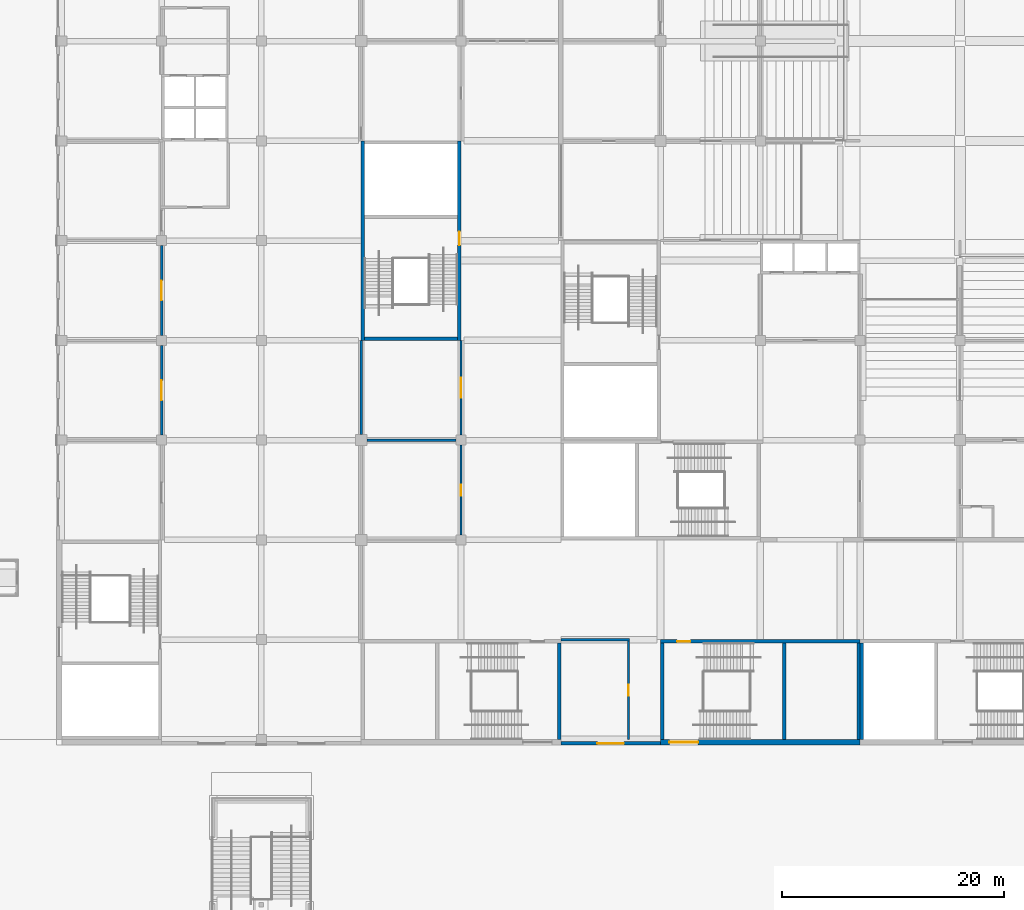
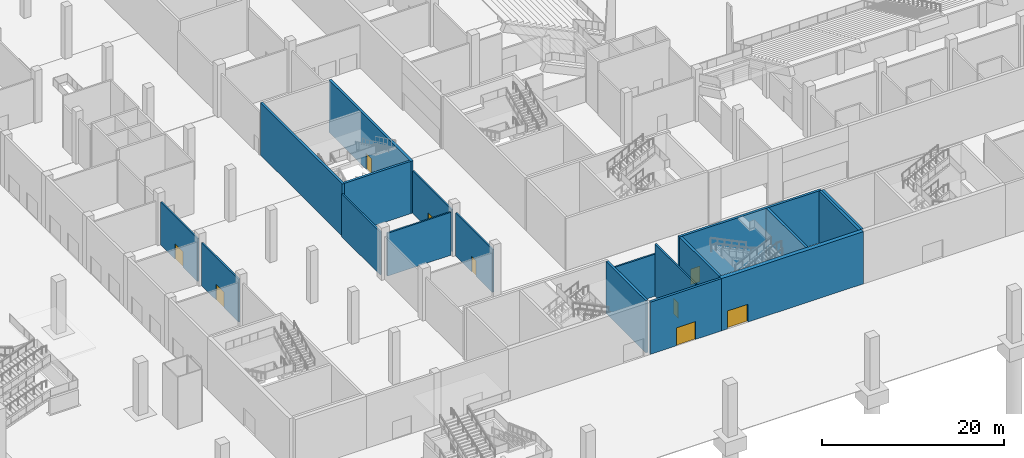
# One storey, part 23 of 92: 19 walls, 9 doors, 9 openings.
"""IFC4 building model written with IfcOpenShell, lengths in metres."""

from ifc_helpers import new_model, si_unit, direction, frame, frame_2d, origin, place, context, subcontext, project, spatial, rectangle, extrude, material, layer, layer_set, type_object, element, fill, save


model = new_model("IFC4")

# Units and contexts
model_context = context("Model", 3, precision=1e-05, world=origin(), true_north=direction((0.0, 1.0)))
body_context = subcontext(model_context, "Body", "Model", "MODEL_VIEW")
ifc_project = project(units=[si_unit("LENGTHUNIT", "METRE"), si_unit("AREAUNIT", "SQUARE_METRE"), si_unit("VOLUMEUNIT", "CUBIC_METRE"), si_unit("PLANEANGLEUNIT", "RADIAN"), si_unit("MASSUNIT", "GRAM", prefix="KILO")], contexts=[model_context])

# Site, building, storey
site_placement = place(None, origin())
site = spatial("IfcSite", under=ifc_project, at=site_placement, CompositionType="ELEMENT")
building_placement = place(site_placement, origin())
building = spatial("IfcBuilding", under=site, at=building_placement, Name="Silverbay Arena", CompositionType="ELEMENT")
storey_placement = place(building_placement, origin())
storey = spatial("IfcBuildingStorey", under=building, at=storey_placement, Name="L00", CompositionType="ELEMENT", Elevation=0.0)

# Wall, opening, door
ifc_material_1 = material(Name="Concrete Grade C45 precast, board-marked finish", Category="concrete")
ifc_layer_1 = layer(ifc_material_1, 0.300048828125)
ifc_layer_set_1 = layer_set([ifc_layer_1], Name="Concrete Grade C45 precast, board-marked finish")
wall_type_1 = type_object("IfcWallType", Name="Board-marked precast wall 300", PredefinedType="SOLIDWALL", material=ifc_layer_set_1)
wall_1_placement = place(storey_placement, frame((72.0, 17.64990234375, 0.0), z_axis=(0.0, 0.0, 1.0), x_axis=(1.0, 0.0, 0.0)))
wall_1 = element("IfcWall", 1, at=wall_1_placement, inside=storey, type_object=wall_type_1, Name="South external wall L00 bay 6", PredefinedType="SOLIDWALL", context=body_context, shape_type="SweptSolid", body=[
    extrude(rectangle(XDim=9.0, YDim=0.300048828125, at=frame_2d((4.5, 0.0))), origin(), (0.0, 0.0, 1.0), 7.0),
])
opening_1_placement = place(wall_1_placement, frame((3.300048828125, 0.0, 0.0)))
opening_1 = element("IfcOpeningElement", 2, at=opening_1_placement, cuts=wall_1, Name="Opening L00-112", PredefinedType="OPENING", context=body_context, shape_type="SweptSolid", body=[
    extrude(rectangle(XDim=2.39990234375, YDim=2.39990234375, at=frame_2d((1.199951171875, 1.199951171875))), frame((0.0, 0.16015625, 0.0), z_axis=(0.0, -1.0, 0.0), x_axis=(1.0, 0.0, 0.0)), (0.0, 0.0, 1.0), 0.320068359375),
])
ifc_material_2 = material(Name="Steel", Category="steel")
door_type_1 = type_object("IfcDoorType", Name="Exit gate door 2400 x 2400", OperationType="DOUBLE_DOOR_SINGLE_SWING", PredefinedType="DOOR", material=ifc_material_2)
door_1_placement = place(opening_1_placement, frame((2.39990234375, 0.0, 0.0), z_axis=(0.0, 0.0, 1.0), x_axis=(-1.0, 0.0, 0.0)))
door_1 = element("IfcDoor", 3, at=door_1_placement, inside=storey, type_object=door_type_1, Name="Pedestrian exit gate G3", OperationType="DOUBLE_DOOR_SINGLE_SWING", OverallHeight=2.39990234375, OverallWidth=2.39990234375, PredefinedType="DOOR", context=body_context, shape_type="SweptSolid", body=[
    extrude(rectangle(XDim=2.39990234375, YDim=2.39990234375, at=frame_2d((1.199951171875, 1.199951171875))), frame((0.0, 0.02490234375, 0.0), z_axis=(0.0, -1.0, 0.0), x_axis=(1.0, 0.0, 0.0)), (0.0, 0.0, 1.0), 0.050048828125),
])
fill(opening_1, door_1)

ifc_material_3 = material(Name="Concrete Grade C45", Category="concrete")
ifc_layer_2 = layer(ifc_material_3, 0.300048828125)
ifc_layer_set_2 = layer_set([ifc_layer_2], Name="Concrete Grade C45")
wall_type_2 = type_object("IfcWallType", Name="Core wall RC 300 EI 120", PredefinedType="SHEAR", material=ifc_layer_set_2)
wall_2_placement = place(storey_placement, frame((81.0, 26.85009765625, 0.0), z_axis=(0.0, 0.0, 1.0), x_axis=(1.0, 0.0, 0.0)))
wall_2 = element("IfcWall", 4, at=wall_2_placement, inside=storey, type_object=wall_type_2, Name="Core wall ST-S1 L00 door side", PredefinedType="SHEAR", context=body_context, shape_type="SweptSolid", body=[
    extrude(rectangle(XDim=18.0, YDim=0.300048828125, at=frame_2d((9.0, 0.0))), origin(), (0.0, 0.0, 1.0), 7.0),
])
opening_2_placement = place(wall_2_placement, frame((1.5, 0.0, 0.0)))
opening_2 = element("IfcOpeningElement", 5, at=opening_2_placement, cuts=wall_2, Name="Opening L00-158", PredefinedType="OPENING", context=body_context, shape_type="SweptSolid", body=[
    extrude(rectangle(XDim=1.199951171875, YDim=2.10009765625, at=frame_2d((0.60009765625, 1.050048828125))), frame((0.0, 0.16015625, 0.0), z_axis=(0.0, -1.0, 0.0), x_axis=(1.0, 0.0, 0.0)), (0.0, 0.0, 1.0), 0.320068359375),
])
ifc_material_4 = material(Name="Steel fire door", Category="steel")
door_type_2 = type_object("IfcDoorType", Name="Stair door 1200 x 2100 fire door", OperationType="SINGLE_SWING_LEFT", PredefinedType="DOOR", material=ifc_material_4)
door_2_placement = place(opening_2_placement, frame((1.199951171875, 0.0, 0.0), z_axis=(0.0, 0.0, 1.0), x_axis=(-1.0, 0.0, 0.0)))
door_2 = element("IfcDoor", 6, at=door_2_placement, inside=storey, type_object=door_type_2, Name="Stair door ST-S1 L00", OperationType="SINGLE_SWING_RIGHT", OverallHeight=2.10009765625, OverallWidth=1.199951171875, PredefinedType="DOOR", context=body_context, shape_type="SweptSolid", body=[
    extrude(rectangle(XDim=1.199951171875, YDim=2.10009765625, at=frame_2d((0.60009765625, 1.050048828125))), frame((0.0, 0.02490234375, 0.0), z_axis=(0.0, -1.0, 0.0), x_axis=(1.0, 0.0, 0.0)), (0.0, 0.0, 1.0), 0.050048828125),
])
fill(opening_2, door_2)

# Walls
for number, where, z_axis, x_axis, name in (
    (7, (81.14990234375, 26.699951171875, 0.0), (0.0, 0.0, 1.0), (0.0, -1.0, 0.0), "Core wall ST-S1 L00 end 1"),
    (8, (98.85009765625, 26.699951171875, 0.0), (0.0, 0.0, 1.0), (0.0, -1.0, 0.0), "Core wall ST-S1 L00 end 2"),
    (9, (92.14990234375, 26.699951171875, 0.0), (0.0, 0.0, 1.0), (0.0, -1.0, 0.0), "Core wall ST-S1 L00 stair enclosure"),
    (10, (99.14990234375, 26.699951171875, 0.0), (0.0, 0.0, 1.0), (0.0, -1.0, 0.0), "Core wall ST-S2 L00 end 2"),
    (11, (71.85009765625, 26.699951171875, 0.0), (0.0, 0.0, 1.0), (0.0, -1.0, 0.0), "Core wall ST-S5 L00 end 1"),
):
    element("IfcWall", number, at=place(storey_placement, frame(where, z_axis=z_axis, x_axis=x_axis)), inside=storey, type_object=wall_type_2, Name=name, PredefinedType="SHEAR", context=body_context, shape_type="SweptSolid", body=[
        extrude(rectangle(XDim=8.699951171875, YDim=0.300048828125, at=frame_2d((4.35009765625, 0.0))), origin(), (0.0, 0.0, 1.0), 7.0),
    ])

# Wall, opening, door
wall_3_placement = place(storey_placement, frame((62.85009765625, 54.0, 0.0), z_axis=(0.0, 0.0, 1.0), x_axis=(0.0, 1.0, 0.0)))
wall_3 = element("IfcWall", 12, at=wall_3_placement, inside=storey, type_object=wall_type_2, Name="Core wall ST-W1 L00 door side", PredefinedType="SHEAR", context=body_context, shape_type="SweptSolid", body=[
    extrude(rectangle(XDim=18.0, YDim=0.300048828125, at=frame_2d((9.0, 0.0))), origin(), (0.0, 0.0, 1.0), 7.0),
])
opening_3_placement = place(wall_3_placement, frame((8.60009765625, 0.0, 0.0)))
opening_3 = element("IfcOpeningElement", 13, at=opening_3_placement, cuts=wall_3, Name="Opening L00-182", PredefinedType="OPENING", context=body_context, shape_type="SweptSolid", body=[
    extrude(rectangle(XDim=1.199951171875, YDim=2.10009765625, at=frame_2d((0.60009765625, 1.050048828125))), frame((0.0, 0.16015625, 0.0), z_axis=(0.0, -1.0, 0.0), x_axis=(1.0, 0.0, 0.0)), (0.0, 0.0, 1.0), 0.320068359375),
])
door_3_placement = place(opening_3_placement, origin())
door_3 = element("IfcDoor", 14, at=door_3_placement, inside=storey, type_object=door_type_2, Name="Stair door ST-W1 L00", OperationType="SINGLE_SWING_RIGHT", OverallHeight=2.10009765625, OverallWidth=1.199951171875, PredefinedType="DOOR", context=body_context, shape_type="SweptSolid", body=[
    extrude(rectangle(XDim=1.199951171875, YDim=2.10009765625, at=frame_2d((0.60009765625, 1.050048828125))), frame((0.0, 0.02490234375, 0.0), z_axis=(0.0, -1.0, 0.0), x_axis=(1.0, 0.0, 0.0)), (0.0, 0.0, 1.0), 0.050048828125),
])
fill(opening_3, door_3)

# Walls
wall_4_placement = place(storey_placement, frame((54.14990234375, 54.0, 0.0), z_axis=(0.0, 0.0, 1.0), x_axis=(0.0, 1.0, 0.0)))
element("IfcWall", 15, at=wall_4_placement, inside=storey, type_object=wall_type_2, Name="Core wall ST-W1 L00 far side", PredefinedType="SHEAR", context=body_context, shape_type="SweptSolid", body=[
    extrude(rectangle(XDim=18.0, YDim=0.300048828125, at=frame_2d((9.0, 0.0))), origin(), (0.0, 0.0, 1.0), 7.0),
])
wall_5_placement = place(storey_placement, frame((62.699951171875, 54.14990234375, 0.0), z_axis=(0.0, 0.0, 1.0), x_axis=(-1.0, 0.0, 0.0)))
element("IfcWall", 16, at=wall_5_placement, inside=storey, type_object=wall_type_2, Name="Core wall ST-W1 L00 end 1", PredefinedType="SHEAR", context=body_context, shape_type="SweptSolid", body=[
    extrude(rectangle(XDim=8.39990234375, YDim=0.300048828125, at=frame_2d((4.199951171875, 0.0))), origin(), (0.0, 0.0, 1.0), 7.0),
])

# Wall, opening, door
ifc_material_5 = material(Name="Concrete Grade C45", Category="concrete")
ifc_layer_3 = layer(ifc_material_5, 0.5)
ifc_layer_set_3 = layer_set([ifc_layer_3], Name="Concrete Grade C45")
wall_type_3 = type_object("IfcWallType", Name="Core wall RC 500 external EI 120", PredefinedType="SHEAR", material=ifc_layer_set_3)
wall_6_placement = place(storey_placement, frame((81.0, 17.75, 0.0), z_axis=(0.0, 0.0, 1.0), x_axis=(1.0, 0.0, 0.0)))
wall_6 = element("IfcWall", 17, at=wall_6_placement, inside=storey, type_object=wall_type_3, Name="Core wall ST-S1 L00 facade side", PredefinedType="SHEAR", context=body_context, shape_type="SweptSolid", body=[
    extrude(rectangle(XDim=18.0, YDim=0.5, at=frame_2d((9.0, 0.0))), origin(), (0.0, 0.0, 1.0), 7.0),
])
opening_4_placement = place(wall_6_placement, frame((0.800048828125, 0.0, 0.0)))
opening_4 = element("IfcOpeningElement", 18, at=opening_4_placement, cuts=wall_6, Name="Opening L00-159", PredefinedType="OPENING", context=body_context, shape_type="SweptSolid", body=[
    extrude(rectangle(XDim=2.60009765625, YDim=2.39990234375, at=frame_2d((1.300048828125, 1.199951171875))), frame((0.0, 0.260009765625, 0.0), z_axis=(0.0, -1.0, 0.0), x_axis=(1.0, 0.0, 0.0)), (0.0, 0.0, 1.0), 0.52001953125),
])
ifc_material_6 = material(Name="Steel and glass", Category="steel")
door_type_3 = type_object("IfcDoorType", Name="Exit door double leaf 2600 x 2400", OperationType="DOUBLE_DOOR_SINGLE_SWING", PredefinedType="DOOR", material=ifc_material_6)
door_4_placement = place(opening_4_placement, frame((2.60009765625, 0.0, 0.0), z_axis=(0.0, 0.0, 1.0), x_axis=(-1.0, 0.0, 0.0)))
door_4 = element("IfcDoor", 19, at=door_4_placement, inside=storey, type_object=door_type_3, Name="Pedestrian exit gate G61", OperationType="DOUBLE_DOOR_SINGLE_SWING", OverallHeight=2.39990234375, OverallWidth=2.60009765625, PredefinedType="DOOR", context=body_context, shape_type="SweptSolid", body=[
    extrude(rectangle(XDim=2.60009765625, YDim=2.39990234375, at=frame_2d((1.300048828125, 1.199951171875))), frame((0.0, 0.02490234375, 0.0), z_axis=(0.0, -1.0, 0.0), x_axis=(1.0, 0.0, 0.0)), (0.0, 0.0, 1.0), 0.050048828125),
])
fill(opening_4, door_4)

# Walls
ifc_material_7 = material(Name="Masonry blockwork partition", Category="masonry")
ifc_layer_4 = layer(ifc_material_7, 0.199951171875)
ifc_layer_set_4 = layer_set([ifc_layer_4], Name="Masonry blockwork partition")
wall_type_4 = type_object("IfcWallType", Name="Partition 200 EI 120", PredefinedType="PARTITIONING", material=ifc_layer_set_4)
wall_7_placement = place(storey_placement, frame((72.0, 27.0, 0.0), z_axis=(0.0, 0.0, 1.0), x_axis=(1.0, 0.0, 0.0)))
element("IfcWall", 20, at=wall_7_placement, inside=storey, type_object=wall_type_4, Name="Partition wall", PredefinedType="PARTITIONING", context=body_context, shape_type="SweptSolid", body=[
    extrude(rectangle(XDim=6.199951171875, YDim=0.199951171875, at=frame_2d((3.10009765625, 0.0))), origin(), (0.0, 0.0, 1.0), 5.64990234375),
])
wall_8_placement = place(storey_placement, frame((54.5, 45.0, 0.0), z_axis=(0.0, 0.0, 1.0), x_axis=(1.0, 0.0, 0.0)))
element("IfcWall", 21, at=wall_8_placement, inside=storey, type_object=wall_type_4, Name="Partition wall", PredefinedType="PARTITIONING", context=body_context, shape_type="SweptSolid", body=[
    extrude(rectangle(XDim=8.050048828125, YDim=0.199951171875, at=frame_2d((4.02490234375, 0.0))), origin(), (0.0, 0.0, 1.0), 5.75),
])
wall_9_placement = place(storey_placement, frame((54.0, 45.5, 0.0), z_axis=(0.0, 0.0, 1.0), x_axis=(0.0, 1.0, 0.0)))
element("IfcWall", 22, at=wall_9_placement, inside=storey, type_object=wall_type_4, Name="Partition wall", PredefinedType="PARTITIONING", context=body_context, shape_type="SweptSolid", body=[
    extrude(rectangle(XDim=8.5, YDim=0.199951171875, at=frame_2d((4.25, 0.0))), origin(), (0.0, 0.0, 1.0), 5.75),
])

# Wall, opening, door
wall_10_placement = place(storey_placement, frame((63.0, 36.449951171875, 0.0), z_axis=(0.0, 0.0, 1.0), x_axis=(0.0, 1.0, 0.0)))
wall_10 = element("IfcWall", 23, at=wall_10_placement, inside=storey, type_object=wall_type_4, Name="Partition wall", PredefinedType="PARTITIONING", context=body_context, shape_type="SweptSolid", body=[
    extrude(rectangle(XDim=8.10009765625, YDim=0.199951171875, at=frame_2d((4.050048828125, 0.0))), origin(), (0.0, 0.0, 1.0), 5.75),
])
opening_5_placement = place(wall_10_placement, frame((3.550048828125, 0.0, 0.0)))
opening_5 = element("IfcOpeningElement", 24, at=opening_5_placement, cuts=wall_10, Name="Opening L00-007", PredefinedType="OPENING", context=body_context, shape_type="SweptSolid", body=[
    extrude(rectangle(XDim=1.0, YDim=2.10009765625, at=frame_2d((0.5, 1.050048828125))), frame((0.0, 0.10986328125, 0.0), z_axis=(0.0, -1.0, 0.0), x_axis=(1.0, 0.0, 0.0)), (0.0, 0.0, 1.0), 0.219970703125),
])
ifc_material_8 = material(Name="Steel faced timber", Category="steel")
door_type_4 = type_object("IfcDoorType", Name="Single leaf door 1000 x 2100 FD60", OperationType="SINGLE_SWING_LEFT", PredefinedType="DOOR", material=ifc_material_8)
door_5_placement = place(opening_5_placement, origin())
door_5 = element("IfcDoor", 25, at=door_5_placement, inside=storey, type_object=door_type_4, Name="Door L00-007", OperationType="SINGLE_SWING_LEFT", OverallHeight=2.10009765625, OverallWidth=1.0, PredefinedType="DOOR", context=body_context, shape_type="SweptSolid", body=[
    extrude(rectangle(XDim=1.0, YDim=2.10009765625, at=frame_2d((0.5, 1.050048828125))), frame((0.0, 0.02490234375, 0.0), z_axis=(0.0, -1.0, 0.0), x_axis=(1.0, 0.0, 0.0)), (0.0, 0.0, 1.0), 0.050048828125),
])
fill(opening_5, door_5)

wall_11_placement = place(storey_placement, frame((63.0, 45.449951171875, 0.0), z_axis=(0.0, 0.0, 1.0), x_axis=(0.0, 1.0, 0.0)))
wall_11 = element("IfcWall", 26, at=wall_11_placement, inside=storey, type_object=wall_type_4, Name="Partition wall", PredefinedType="PARTITIONING", context=body_context, shape_type="SweptSolid", body=[
    extrude(rectangle(XDim=8.550048828125, YDim=0.199951171875, at=frame_2d((4.27490234375, 0.0))), origin(), (0.0, 0.0, 1.0), 5.64990234375),
])
opening_6_placement = place(wall_11_placement, frame((3.375, 0.0, 0.0)))
opening_6 = element("IfcOpeningElement", 27, at=opening_6_placement, cuts=wall_11, Name="Opening L00-008", PredefinedType="OPENING", context=body_context, shape_type="SweptSolid", body=[
    extrude(rectangle(XDim=1.800048828125, YDim=2.10009765625, at=frame_2d((0.89990234375, 1.050048828125))), frame((0.0, 0.10986328125, 0.0), z_axis=(0.0, -1.0, 0.0), x_axis=(1.0, 0.0, 0.0)), (0.0, 0.0, 1.0), 0.219970703125),
])
ifc_material_9 = material(Name="Steel faced timber", Category="steel")
door_type_5 = type_object("IfcDoorType", Name="Double leaf door 1800 x 2100 FD120", OperationType="DOUBLE_DOOR_DOUBLE_SWING", PredefinedType="DOOR", material=ifc_material_9)
door_6_placement = place(opening_6_placement, origin())
door_6 = element("IfcDoor", 28, at=door_6_placement, inside=storey, type_object=door_type_5, Name="Door L00-008", OperationType="DOUBLE_DOOR_DOUBLE_SWING", OverallHeight=2.10009765625, OverallWidth=1.800048828125, PredefinedType="DOOR", context=body_context, shape_type="SweptSolid", body=[
    extrude(rectangle(XDim=1.800048828125, YDim=2.10009765625, at=frame_2d((0.89990234375, 1.050048828125))), frame((0.0, 0.02490234375, 0.0), z_axis=(0.0, -1.0, 0.0), x_axis=(1.0, 0.0, 0.0)), (0.0, 0.0, 1.0), 0.050048828125),
])
fill(opening_6, door_6)

wall_12_placement = place(storey_placement, frame((78.10009765625, 18.0, 0.0), z_axis=(0.0, 0.0, 1.0), x_axis=(0.0, 1.0, 0.0)))
wall_12 = element("IfcWall", 29, at=wall_12_placement, inside=storey, type_object=wall_type_4, Name="Partition wall", PredefinedType="PARTITIONING", context=body_context, shape_type="SweptSolid", body=[
    extrude(rectangle(XDim=8.89990234375, YDim=0.199951171875, at=frame_2d((4.449951171875, 0.0))), origin(), (0.0, 0.0, 1.0), 7.0),
])
opening_7_placement = place(wall_12_placement, frame((3.949951171875, 0.0, 0.0)))
opening_7 = element("IfcOpeningElement", 30, at=opening_7_placement, cuts=wall_12, Name="Opening L00-001", PredefinedType="OPENING", context=body_context, shape_type="SweptSolid", body=[
    extrude(rectangle(XDim=1.0, YDim=2.10009765625, at=frame_2d((0.5, 1.050048828125))), frame((0.0, 0.10986328125, 0.0), z_axis=(0.0, -1.0, 0.0), x_axis=(1.0, 0.0, 0.0)), (0.0, 0.0, 1.0), 0.219970703125),
])
ifc_material_10 = material(Name="Steel faced timber", Category="steel")
door_type_6 = type_object("IfcDoorType", Name="Single leaf door 1000 x 2100 FD120", OperationType="SINGLE_SWING_LEFT", PredefinedType="DOOR", material=ifc_material_10)
door_7_placement = place(opening_7_placement, origin())
door_7 = element("IfcDoor", 31, at=door_7_placement, inside=storey, type_object=door_type_6, Name="Door L00-001", OperationType="SINGLE_SWING_LEFT", OverallHeight=2.10009765625, OverallWidth=1.0, PredefinedType="DOOR", context=body_context, shape_type="SweptSolid", body=[
    extrude(rectangle(XDim=1.0, YDim=2.10009765625, at=frame_2d((0.5, 1.050048828125))), frame((0.0, 0.02490234375, 0.0), z_axis=(0.0, -1.0, 0.0), x_axis=(1.0, 0.0, 0.0)), (0.0, 0.0, 1.0), 0.050048828125),
])
fill(opening_7, door_7)

ifc_material_11 = material(Name="Gypsum board partition on steel studs", Category="steel")
ifc_layer_5 = layer(ifc_material_11, 0.199951171875)
ifc_layer_set_5 = layer_set([ifc_layer_5], Name="Gypsum board partition on steel studs")
wall_type_5 = type_object("IfcWallType", Name="Partition 200 EI 60", PredefinedType="PARTITIONING", material=ifc_layer_set_5)
wall_13_placement = place(storey_placement, frame((36.0, 45.449951171875, 0.0), z_axis=(0.0, 0.0, 1.0), x_axis=(0.0, 1.0, 0.0)))
wall_13 = element("IfcWall", 32, at=wall_13_placement, inside=storey, type_object=wall_type_5, Name="Partition wall", PredefinedType="PARTITIONING", context=body_context, shape_type="SweptSolid", body=[
    extrude(rectangle(XDim=8.10009765625, YDim=0.199951171875, at=frame_2d((4.050048828125, 0.0))), origin(), (0.0, 0.0, 1.0), 5.75),
])
opening_8_placement = place(wall_13_placement, frame((3.14990234375, 0.0, 0.0)))
opening_8 = element("IfcOpeningElement", 33, at=opening_8_placement, cuts=wall_13, Name="Opening L00-049", PredefinedType="OPENING", context=body_context, shape_type="SweptSolid", body=[
    extrude(rectangle(XDim=1.800048828125, YDim=2.10009765625, at=frame_2d((0.89990234375, 1.050048828125))), frame((0.0, 0.10986328125, 0.0), z_axis=(0.0, -1.0, 0.0), x_axis=(1.0, 0.0, 0.0)), (0.0, 0.0, 1.0), 0.219970703125),
])
ifc_material_12 = material(Name="Steel faced timber", Category="steel")
door_type_7 = type_object("IfcDoorType", Name="Double leaf door 1800 x 2100 FD30S", OperationType="DOUBLE_DOOR_DOUBLE_SWING", PredefinedType="DOOR", material=ifc_material_12)
door_8_placement = place(opening_8_placement, origin())
door_8 = element("IfcDoor", 34, at=door_8_placement, inside=storey, type_object=door_type_7, Name="Door L00-049", OperationType="DOUBLE_DOOR_DOUBLE_SWING", OverallHeight=2.10009765625, OverallWidth=1.800048828125, PredefinedType="DOOR", context=body_context, shape_type="SweptSolid", body=[
    extrude(rectangle(XDim=1.800048828125, YDim=2.10009765625, at=frame_2d((0.89990234375, 1.050048828125))), frame((0.0, 0.02490234375, 0.0), z_axis=(0.0, -1.0, 0.0), x_axis=(1.0, 0.0, 0.0)), (0.0, 0.0, 1.0), 0.050048828125),
])
fill(opening_8, door_8)

wall_14_placement = place(storey_placement, frame((36.0, 54.449951171875, 0.0), z_axis=(0.0, 0.0, 1.0), x_axis=(0.0, 1.0, 0.0)))
wall_14 = element("IfcWall", 35, at=wall_14_placement, inside=storey, type_object=wall_type_5, Name="Partition wall", PredefinedType="PARTITIONING", context=body_context, shape_type="SweptSolid", body=[
    extrude(rectangle(XDim=8.10009765625, YDim=0.199951171875, at=frame_2d((4.050048828125, 0.0))), origin(), (0.0, 0.0, 1.0), 5.75),
])
opening_9_placement = place(wall_14_placement, frame((3.14990234375, 0.0, 0.0)))
opening_9 = element("IfcOpeningElement", 36, at=opening_9_placement, cuts=wall_14, Name="Opening L00-050", PredefinedType="OPENING", context=body_context, shape_type="SweptSolid", body=[
    extrude(rectangle(XDim=1.800048828125, YDim=2.10009765625, at=frame_2d((0.89990234375, 1.050048828125))), frame((0.0, 0.10986328125, 0.0), z_axis=(0.0, -1.0, 0.0), x_axis=(1.0, 0.0, 0.0)), (0.0, 0.0, 1.0), 0.219970703125),
])
door_9_placement = place(opening_9_placement, origin())
door_9 = element("IfcDoor", 37, at=door_9_placement, inside=storey, type_object=door_type_7, Name="Door L00-050", OperationType="DOUBLE_DOOR_DOUBLE_SWING", OverallHeight=2.10009765625, OverallWidth=1.800048828125, PredefinedType="DOOR", context=body_context, shape_type="SweptSolid", body=[
    extrude(rectangle(XDim=1.800048828125, YDim=2.10009765625, at=frame_2d((0.89990234375, 1.050048828125))), frame((0.0, 0.02490234375, 0.0), z_axis=(0.0, -1.0, 0.0), x_axis=(1.0, 0.0, 0.0)), (0.0, 0.0, 1.0), 0.050048828125),
])
fill(opening_9, door_9)

save(model, "model.ifc")
